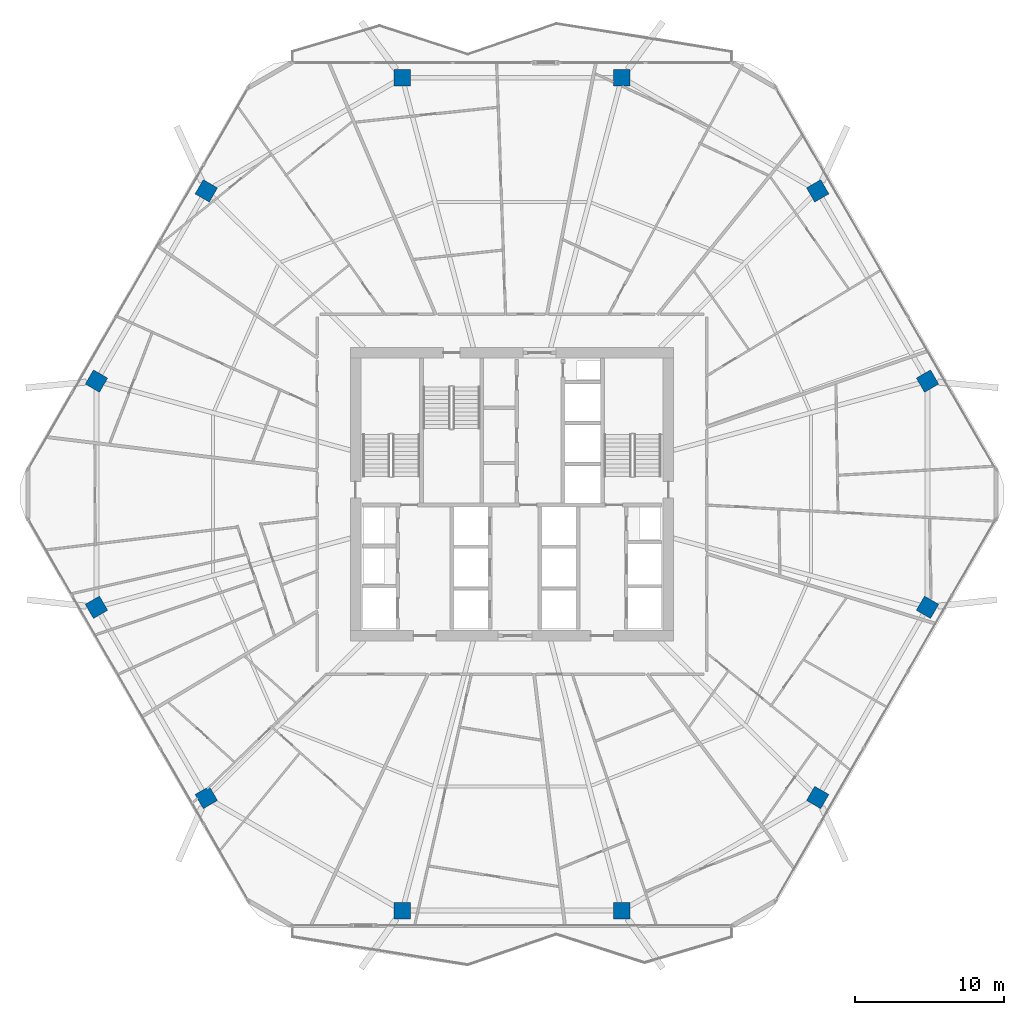
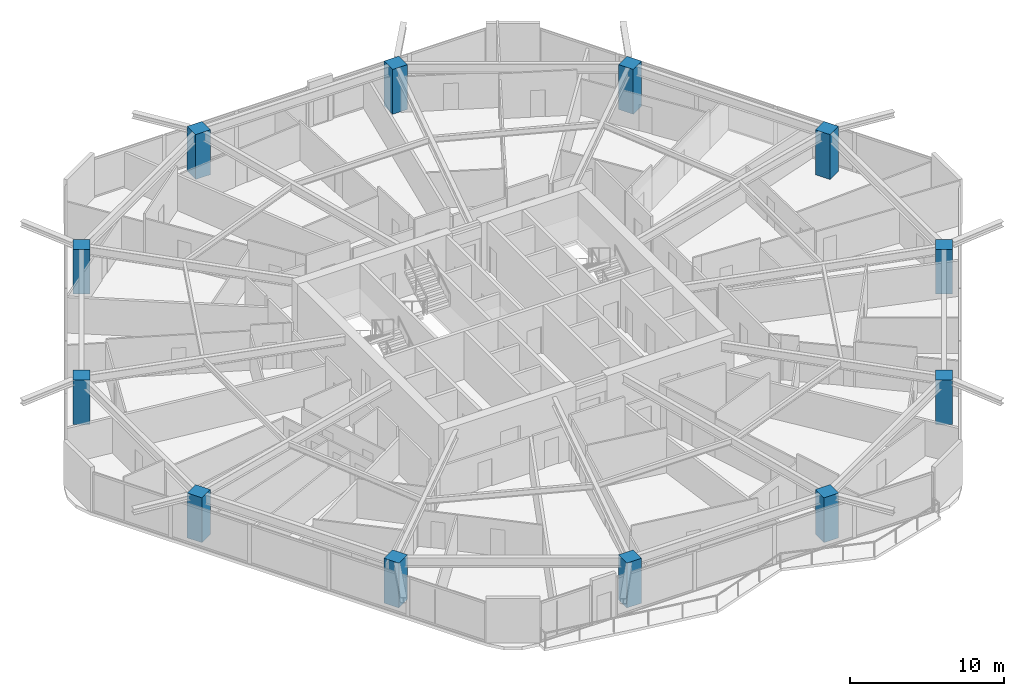
# One storey, part 1 of 33: 12 columns.
"""IFC4 building model written with IfcOpenShell, lengths in metres."""

from ifc_helpers import new_model, si_unit, direction, frame, origin, origin_2d, place, context, subcontext, project, spatial, rectangle, extrude, material, material_profile, profile_set, type_object, element, save


model = new_model("IFC4")

# Units and contexts
model_context = context("Model", 3, precision=1e-05, world=origin(), true_north=direction((0.0, 1.0)))
body_context = subcontext(model_context, "Body", "Model", "MODEL_VIEW")
ifc_project = project(units=[si_unit("LENGTHUNIT", "METRE"), si_unit("AREAUNIT", "SQUARE_METRE"), si_unit("VOLUMEUNIT", "CUBIC_METRE"), si_unit("PLANEANGLEUNIT", "RADIAN"), si_unit("MASSUNIT", "GRAM", prefix="KILO")], contexts=[model_context])

# Site, building, storey
site_placement = place(None, origin())
site = spatial("IfcSite", under=ifc_project, at=site_placement, CompositionType="ELEMENT")
building_placement = place(site_placement, origin())
building = spatial("IfcBuilding", under=site, at=building_placement, Name="Zuhravey Tower", CompositionType="ELEMENT")
storey_placement = place(building_placement, frame((0.0, 0.0, 103.800048828125)))
storey = spatial("IfcBuildingStorey", under=building, at=storey_placement, Name="L25", CompositionType="ELEMENT", Elevation=103.800048828125)

# Columns
ifc_material = material(Name="Concrete C60/75", Category="concrete")
ifc_material_profile = material_profile(ifc_material, rectangle(XDim=1.10009765625, YDim=1.10009765625, at=origin_2d()), Name="RC-1100x1100")
ifc_profile_set = profile_set([ifc_material_profile], Name="Concrete C60/75")
column_type = type_object("IfcColumnType", Name="Zone 1 Upper Column 1100x1100", PredefinedType="COLUMN", material=ifc_profile_set)
for number, where, z_axis, x_axis, name in (
    (1, (63.88916015625, 39.591552734375, 0.0), (0.0, 0.0, 1.0), (-0.5, 0.866025403784, 0.0), "L25 Perimeter Column PC01"),
    (2, (56.51904296875, 52.35693359375, 0.0), (0.0, 0.0, 1.0), (-0.5, 0.866025403784, 0.0), "L25 Perimeter Column PC02"),
    (3, (43.3701171875, 59.948486328125, 0.0), (0.0, 0.0, 1.0), (-1.0, 0.0, 0.0), "L25 Perimeter Column PC03"),
    (4, (28.6298828125, 59.948486328125, 0.0), (0.0, 0.0, 1.0), (-1.0, 0.0, 0.0), "L25 Perimeter Column PC04"),
    (5, (15.48095703125, 52.35693359375, 0.0), (0.0, 0.0, 1.0), (-0.5, -0.866025403784, 0.0), "L25 Perimeter Column PC05"),
    (6, (8.11083984375, 39.591552734375, 0.0), (0.0, 0.0, 1.0), (-0.5, -0.866025403784, 0.0), "L25 Perimeter Column PC06"),
    (7, (8.11083984375, 24.408447265625, 0.0), (0.0, 0.0, 1.0), (0.5, -0.866025403784, 0.0), "L25 Perimeter Column PC07"),
    (8, (15.48095703125, 11.64306640625, 0.0), (0.0, 0.0, 1.0), (0.5, -0.866025403784, 0.0), "L25 Perimeter Column PC08"),
    (9, (28.6298828125, 4.051513671875, 0.0), (0.0, 0.0, 1.0), (1.0, 0.0, 0.0), "L25 Perimeter Column PC09"),
    (10, (43.3701171875, 4.051513671875, 0.0), (0.0, 0.0, 1.0), (1.0, 0.0, 0.0), "L25 Perimeter Column PC10"),
    (11, (56.51904296875, 11.64306640625, 0.0), (0.0, 0.0, 1.0), (0.5, 0.866025403784, 0.0), "L25 Perimeter Column PC11"),
    (12, (63.88916015625, 24.408447265625, 0.0), (0.0, 0.0, 1.0), (0.5, 0.866025403784, 0.0), "L25 Perimeter Column PC12"),
):
    element("IfcColumn", number, at=place(storey_placement, frame(where, z_axis=z_axis, x_axis=x_axis)), inside=storey, type_object=column_type, Name=name, PredefinedType="COLUMN", context=body_context, shape_type="SweptSolid", body=[
        extrude(rectangle(XDim=1.10009765625, YDim=1.10009765625, at=origin_2d()), origin(), (0.0, 0.0, 1.0), 3.550048828125),
    ])

save(model, "model.ifc")
